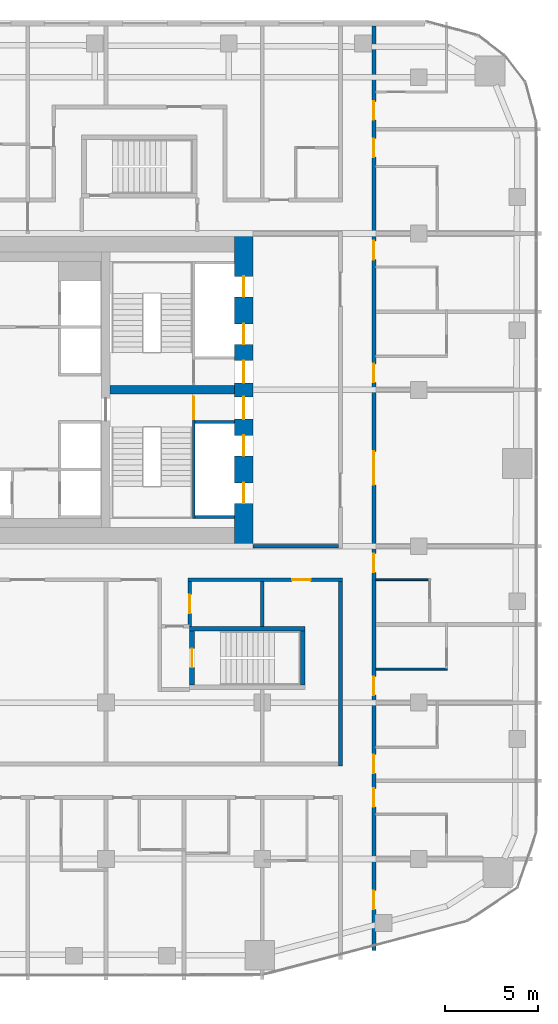
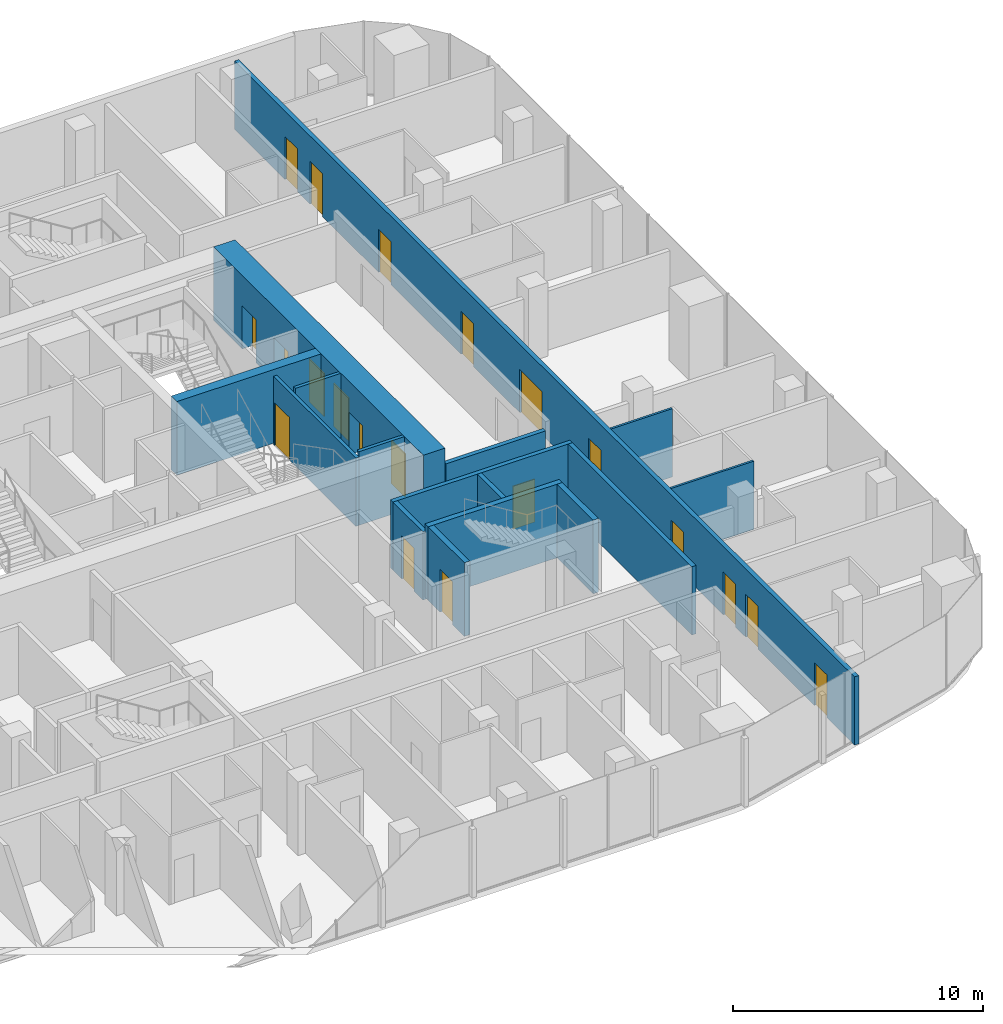
# One storey, part 17 of 23: 20 doors, 16 walls, 20 openings.
"""IFC4 building model written with IfcOpenShell, lengths in metres."""

from ifc_helpers import new_model, si_unit, direction, frame, frame_2d, origin, place, context, subcontext, project, spatial, rectangle, extrude, material, layer, layer_set, type_object, element, fill, save


model = new_model("IFC4")

# Units and contexts
model_context = context("Model", 3, precision=1e-05, world=origin(), true_north=direction((0.0, 1.0)))
body_context = subcontext(model_context, "Body", "Model", "MODEL_VIEW")
ifc_project = project(units=[si_unit("LENGTHUNIT", "METRE"), si_unit("AREAUNIT", "SQUARE_METRE"), si_unit("VOLUMEUNIT", "CUBIC_METRE"), si_unit("PLANEANGLEUNIT", "RADIAN"), si_unit("MASSUNIT", "GRAM", prefix="KILO")], contexts=[model_context])

# Site, building, storey
site_placement = place(None, origin())
site = spatial("IfcSite", under=ifc_project, at=site_placement, CompositionType="ELEMENT")
building_placement = place(site_placement, origin())
building = spatial("IfcBuilding", under=site, at=building_placement, Name="Marenta Gate Hotel Tower", CompositionType="ELEMENT")
storey_placement = place(building_placement, frame((0.0, 0.0, 112.10009765625)))
storey = spatial("IfcBuildingStorey", under=building, at=storey_placement, Name="L24", CompositionType="ELEMENT", Elevation=112.10009765625)

# Walls
ifc_material_1 = material(Name="Concrete blockwork", Category="masonry")
ifc_layer_1 = layer(ifc_material_1, 0.199951171875)
ifc_layer_set_1 = layer_set([ifc_layer_1], Name="Concrete blockwork")
wall_type_1 = type_object("IfcWallType", Name="Core boundary wall 200 REI 180", PredefinedType="PARTITIONING", material=ifc_layer_set_1)
wall_1_placement = place(storey_placement, frame((12.10009765625, 0.0, 0.0), z_axis=(0.0, 0.0, 1.0), x_axis=(1.0, 0.0, 0.0)))
element("IfcWall", 1, at=wall_1_placement, inside=storey, type_object=wall_type_1, Name="L24-CP-EW-ES", PredefinedType="PARTITIONING", context=body_context, shape_type="SweptSolid", body=[
    extrude(rectangle(XDim=4.599853515625, YDim=0.199951171875, at=frame_2d((2.2998046875, 0.0))), origin(), (0.0, 0.0, 1.0), 2.889892578125),
])
ifc_material_2 = material(Name="Concrete C40", Category="concrete")
ifc_layer_2 = layer(ifc_material_2, 0.14990234375)
ifc_layer_set_2 = layer_set([ifc_layer_2], Name="Concrete C40")
wall_type_2 = type_object("IfcWallType", Name="Core shaft wall 150 REI 180", PredefinedType="SHEAR", material=ifc_layer_set_2)
for number, where, z_axis, x_axis, name in (
    (2, (9.0, 6.675048828125, 0.0), (0.0, 0.0, 1.0), (1.0, 0.0, 0.0), "L24-SHF-SW-ES-2"),
    (3, (9.0, 1.574951171875, 0.0), (0.0, 0.0, 1.0), (1.0, 0.0, 0.0), "L24-SHF-SW-ES-5"),
):
    element("IfcWall", number, at=place(storey_placement, frame(where, z_axis=z_axis, x_axis=x_axis)), inside=storey, type_object=wall_type_2, Name=name, PredefinedType="SHEAR", context=body_context, shape_type="SweptSolid", body=[
        extrude(rectangle(XDim=2.10009765625, YDim=0.14990234375, at=frame_2d((1.050048828125, 0.0))), origin(), (0.0, 0.0, 1.0), 3.599853515625),
    ])

# Wall, opening, door
ifc_material_3 = material(Name="Concrete C40", Category="concrete")
ifc_layer_3 = layer(ifc_material_3, 0.14990234375)
ifc_layer_set_3 = layer_set([ifc_layer_3], Name="Concrete C40")
wall_type_3 = type_object("IfcWallType", Name="Core stair enclosure wall 150 REI 180", PredefinedType="SHEAR", material=ifc_layer_set_3)
wall_2_placement = place(storey_placement, frame((8.925048828125, 1.5, 0.0), z_axis=(0.0, 0.0, 1.0), x_axis=(0.0, 1.0, 0.0)))
wall_2 = element("IfcWall", 4, at=wall_2_placement, inside=storey, type_object=wall_type_3, Name="L24-SHF-SW-ES-3", PredefinedType="SHEAR", context=body_context, shape_type="SweptSolid", body=[
    extrude(rectangle(XDim=6.60009765625, YDim=0.14990234375, at=frame_2d((3.300048828125, 0.0))), origin(), (0.0, 0.0, 1.0), 3.33984375),
])
opening_1_placement = place(wall_2_placement, frame((5.324951171875, 0.0, 0.0)))
opening_1 = element("IfcOpeningElement", 5, at=opening_1_placement, cuts=wall_2, Name="Opening SD-ES", PredefinedType="OPENING", context=body_context, shape_type="SweptSolid", body=[
    extrude(rectangle(XDim=1.199951171875, YDim=2.10009765625, at=frame_2d((0.60009765625, 1.050048828125))), frame((0.0, 0.074951171875, 0.0), z_axis=(0.0, -1.0, 0.0), x_axis=(1.0, 0.0, 0.0)), (0.0, 0.0, 1.0), 0.14990234375),
])
ifc_material_4 = material(Name="Steel", Category="steel")
door_type_1 = type_object("IfcDoorType", Name="Core stair door 1200x2100 FD60", OperationType="SINGLE_SWING_LEFT", PredefinedType="DOOR", material=ifc_material_4)
door_1_placement = place(opening_1_placement, origin())
door_1 = element("IfcDoor", 6, at=door_1_placement, inside=storey, type_object=door_type_1, Name="SD-ES", OperationType="SINGLE_SWING_LEFT", OverallHeight=2.10009765625, OverallWidth=1.199951171875, PredefinedType="DOOR", context=body_context, shape_type="SweptSolid", body=[
    extrude(rectangle(XDim=1.199951171875, YDim=2.10009765625, at=frame_2d((0.60009765625, 1.050048828125))), frame((0.0, 0.02490234375, 0.0), z_axis=(0.0, -1.0, 0.0), x_axis=(1.0, 0.0, 0.0)), (0.0, 0.0, 1.0), 0.050048828125),
])
fill(opening_1, door_1)

# Wall, openings, doors
ifc_material_5 = material(Name="Concrete C70", Category="concrete")
ifc_layer_4 = layer(ifc_material_5, 1.0)
ifc_layer_set_4 = layer_set([ifc_layer_4], Name="Concrete C70")
wall_type_4 = type_object("IfcWallType", Name="Core wall 1000 C70", PredefinedType="SHEAR", material=ifc_layer_set_4)
wall_3_placement = place(storey_placement, frame((11.60009765625, 0.0, 0.0), z_axis=(0.0, 0.0, 1.0), x_axis=(0.0, 1.0, 0.0)))
wall_3 = element("IfcWall", 7, at=wall_3_placement, inside=storey, type_object=wall_type_4, Name="L24-CORE-E", PredefinedType="SHEAR", context=body_context, shape_type="SweptSolid", body=[
    extrude(rectangle(XDim=16.800048828125, YDim=1.0, at=frame_2d((8.39990234375, 0.0))), origin(), (0.0, 0.0, 1.0), 3.599853515625),
])
opening_2_placement = place(wall_3_placement, frame((2.300048828125, 0.0, 0.0)))
opening_2 = element("IfcOpeningElement", 8, at=opening_2_placement, cuts=wall_3, Name="Opening LD-HR1", PredefinedType="OPENING", context=body_context, shape_type="SweptSolid", body=[
    extrude(rectangle(XDim=1.10009765625, YDim=2.10009765625, at=frame_2d((0.550048828125, 1.050048828125))), frame((0.0, 0.5, 0.0), z_axis=(0.0, -1.0, 0.0), x_axis=(1.0, 0.0, 0.0)), (0.0, 0.0, 1.0), 1.0),
])
opening_3_placement = place(wall_3_placement, frame((4.85009765625, 0.0, 0.0)))
opening_3 = element("IfcOpeningElement", 9, at=opening_3_placement, cuts=wall_3, Name="Opening LD-HR2", PredefinedType="OPENING", context=body_context, shape_type="SweptSolid", body=[
    extrude(rectangle(XDim=1.10009765625, YDim=2.10009765625, at=frame_2d((0.550048828125, 1.050048828125))), frame((0.0, 0.5, 0.0), z_axis=(0.0, -1.0, 0.0), x_axis=(1.0, 0.0, 0.0)), (0.0, 0.0, 1.0), 1.0),
])
opening_4_placement = place(wall_3_placement, frame((6.824951171875, 0.0, 0.0)))
opening_4 = element("IfcOpeningElement", 10, at=opening_4_placement, cuts=wall_3, Name="Opening PD-ES", PredefinedType="OPENING", context=body_context, shape_type="SweptSolid", body=[
    extrude(rectangle(XDim=1.199951171875, YDim=2.10009765625, at=frame_2d((0.60009765625, 1.050048828125))), frame((0.0, 0.5, 0.0), z_axis=(0.0, -1.0, 0.0), x_axis=(1.0, 0.0, 0.0)), (0.0, 0.0, 1.0), 1.0),
])
opening_5_placement = place(wall_3_placement, frame((13.39990234375, 0.0, 0.0)))
opening_5 = element("IfcOpeningElement", 11, at=opening_5_placement, cuts=wall_3, Name="Opening LD-HR4", PredefinedType="OPENING", context=body_context, shape_type="SweptSolid", body=[
    extrude(rectangle(XDim=1.10009765625, YDim=2.10009765625, at=frame_2d((0.550048828125, 1.050048828125))), frame((0.0, 0.5, 0.0), z_axis=(0.0, -1.0, 0.0), x_axis=(1.0, 0.0, 0.0)), (0.0, 0.0, 1.0), 1.0),
])
opening_6_placement = place(wall_3_placement, frame((10.85009765625, 0.0, 0.0)))
opening_6 = element("IfcOpeningElement", 12, at=opening_6_placement, cuts=wall_3, Name="Opening LD-HR3", PredefinedType="OPENING", context=body_context, shape_type="SweptSolid", body=[
    extrude(rectangle(XDim=1.10009765625, YDim=2.10009765625, at=frame_2d((0.550048828125, 1.050048828125))), frame((0.0, 0.5, 0.0), z_axis=(0.0, -1.0, 0.0), x_axis=(1.0, 0.0, 0.0)), (0.0, 0.0, 1.0), 1.0),
])
opening_7_placement = place(wall_3_placement, frame((8.77490234375, 0.0, 0.0)))
opening_7 = element("IfcOpeningElement", 13, at=opening_7_placement, cuts=wall_3, Name="Opening PD-EN", PredefinedType="OPENING", context=body_context, shape_type="SweptSolid", body=[
    extrude(rectangle(XDim=1.199951171875, YDim=2.10009765625, at=frame_2d((0.60009765625, 1.050048828125))), frame((0.0, 0.5, 0.0), z_axis=(0.0, -1.0, 0.0), x_axis=(1.0, 0.0, 0.0)), (0.0, 0.0, 1.0), 1.0),
])
ifc_material_6 = material(Name="Steel", Category="steel")
door_type_2 = type_object("IfcDoorType", Name="Core lift landing door 1100x2100 E 60", OperationType="SLIDING_TO_LEFT", PredefinedType="DOOR", material=ifc_material_6)
door_2_placement = place(opening_2_placement, origin())
door_2 = element("IfcDoor", 14, at=door_2_placement, inside=storey, type_object=door_type_2, Name="LD-HR1", OperationType="SLIDING_TO_LEFT", OverallHeight=2.10009765625, OverallWidth=1.10009765625, PredefinedType="DOOR", context=body_context, shape_type="SweptSolid", body=[
    extrude(rectangle(XDim=1.10009765625, YDim=2.10009765625, at=frame_2d((0.550048828125, 1.050048828125))), frame((0.0, 0.02490234375, 0.0), z_axis=(0.0, -1.0, 0.0), x_axis=(1.0, 0.0, 0.0)), (0.0, 0.0, 1.0), 0.050048828125),
])
fill(opening_2, door_2)
door_3_placement = place(opening_3_placement, origin())
door_3 = element("IfcDoor", 15, at=door_3_placement, inside=storey, type_object=door_type_2, Name="LD-HR2", OperationType="SLIDING_TO_LEFT", OverallHeight=2.10009765625, OverallWidth=1.10009765625, PredefinedType="DOOR", context=body_context, shape_type="SweptSolid", body=[
    extrude(rectangle(XDim=1.10009765625, YDim=2.10009765625, at=frame_2d((0.550048828125, 1.050048828125))), frame((0.0, 0.02490234375, 0.0), z_axis=(0.0, -1.0, 0.0), x_axis=(1.0, 0.0, 0.0)), (0.0, 0.0, 1.0), 0.050048828125),
])
fill(opening_3, door_3)
door_4_placement = place(opening_5_placement, origin())
door_4 = element("IfcDoor", 16, at=door_4_placement, inside=storey, type_object=door_type_2, Name="LD-HR4", OperationType="SLIDING_TO_LEFT", OverallHeight=2.10009765625, OverallWidth=1.10009765625, PredefinedType="DOOR", context=body_context, shape_type="SweptSolid", body=[
    extrude(rectangle(XDim=1.10009765625, YDim=2.10009765625, at=frame_2d((0.550048828125, 1.050048828125))), frame((0.0, 0.02490234375, 0.0), z_axis=(0.0, -1.0, 0.0), x_axis=(1.0, 0.0, 0.0)), (0.0, 0.0, 1.0), 0.050048828125),
])
fill(opening_5, door_4)
door_5_placement = place(opening_6_placement, origin())
door_5 = element("IfcDoor", 17, at=door_5_placement, inside=storey, type_object=door_type_2, Name="LD-HR3", OperationType="SLIDING_TO_LEFT", OverallHeight=2.10009765625, OverallWidth=1.10009765625, PredefinedType="DOOR", context=body_context, shape_type="SweptSolid", body=[
    extrude(rectangle(XDim=1.10009765625, YDim=2.10009765625, at=frame_2d((0.550048828125, 1.050048828125))), frame((0.0, 0.02490234375, 0.0), z_axis=(0.0, -1.0, 0.0), x_axis=(1.0, 0.0, 0.0)), (0.0, 0.0, 1.0), 0.050048828125),
])
fill(opening_6, door_5)
ifc_material_7 = material(Name="Steel", Category="steel")
door_type_3 = type_object("IfcDoorType", Name="Core lobby door 1200x2100 FD60", OperationType="SINGLE_SWING_LEFT", PredefinedType="DOOR", material=ifc_material_7)
door_6_placement = place(opening_4_placement, origin())
door_6 = element("IfcDoor", 18, at=door_6_placement, inside=storey, type_object=door_type_3, Name="PD-ES", OperationType="SINGLE_SWING_LEFT", OverallHeight=2.10009765625, OverallWidth=1.199951171875, PredefinedType="DOOR", context=body_context, shape_type="SweptSolid", body=[
    extrude(rectangle(XDim=1.199951171875, YDim=2.10009765625, at=frame_2d((0.60009765625, 1.050048828125))), frame((0.0, 0.02490234375, 0.0), z_axis=(0.0, -1.0, 0.0), x_axis=(1.0, 0.0, 0.0)), (0.0, 0.0, 1.0), 0.050048828125),
])
fill(opening_4, door_6)
door_7_placement = place(opening_7_placement, origin())
door_7 = element("IfcDoor", 19, at=door_7_placement, inside=storey, type_object=door_type_3, Name="PD-EN", OperationType="SINGLE_SWING_LEFT", OverallHeight=2.10009765625, OverallWidth=1.199951171875, PredefinedType="DOOR", context=body_context, shape_type="SweptSolid", body=[
    extrude(rectangle(XDim=1.199951171875, YDim=2.10009765625, at=frame_2d((0.60009765625, 1.050048828125))), frame((0.0, 0.02490234375, 0.0), z_axis=(0.0, -1.0, 0.0), x_axis=(1.0, 0.0, 0.0)), (0.0, 0.0, 1.0), 0.050048828125),
])
fill(opening_7, door_7)

# Walls
ifc_material_8 = material(Name="Concrete C70", Category="concrete")
ifc_layer_5 = layer(ifc_material_8, 0.449951171875)
ifc_layer_set_5 = layer_set([ifc_layer_5], Name="Concrete C70")
wall_type_5 = type_object("IfcWallType", Name="Core web 450 C70", PredefinedType="SHEAR", material=ifc_layer_set_5)
wall_4_placement = place(storey_placement, frame((4.425048828125, 8.39990234375, 0.0), z_axis=(0.0, 0.0, 1.0), x_axis=(1.0, 0.0, 0.0)))
element("IfcWall", 20, at=wall_4_placement, inside=storey, type_object=wall_type_5, Name="L24-CORE-W4", PredefinedType="SHEAR", context=body_context, shape_type="SweptSolid", body=[
    extrude(rectangle(XDim=6.675048828125, YDim=0.449951171875, at=frame_2d((3.33740234375, 0.0))), origin(), (0.0, 0.0, 1.0), 3.599853515625),
])
ifc_material_9 = material(Name="Concrete C40", Category="concrete")
ifc_layer_6 = layer(ifc_material_9, 0.25)
ifc_layer_set_6 = layer_set([ifc_layer_6], Name="Concrete C40")
wall_type_6 = type_object("IfcWallType", Name="Remote stair enclosure wall 250 REI 180", PredefinedType="SHEAR", material=ifc_layer_set_6)
wall_5_placement = place(storey_placement, frame((8.699951171875, -4.425048828125, 0.099853515625), z_axis=(0.0, 0.0, 1.0), x_axis=(1.0, 0.0, 0.0)))
element("IfcWall", 21, at=wall_5_placement, inside=storey, type_object=wall_type_6, Name="L24-RS-Z2-2-W2", PredefinedType="SHEAR", context=body_context, shape_type="SweptSolid", body=[
    extrude(rectangle(XDim=6.199951171875, YDim=0.25, at=frame_2d((3.10009765625, 0.0))), origin(), (0.0, 0.0, 1.0), 3.60009765625),
])

# Wall, opening, door
wall_6_placement = place(storey_placement, frame((8.824951171875, -7.449951171875, 0.099853515625), z_axis=(0.0, 0.0, 1.0), x_axis=(0.0, 1.0, 0.0)))
wall_6 = element("IfcWall", 22, at=wall_6_placement, inside=storey, type_object=wall_type_6, Name="L24-RS-Z2-2-W3", PredefinedType="SHEAR", context=body_context, shape_type="SweptSolid", body=[
    extrude(rectangle(XDim=2.89990234375, YDim=0.25, at=frame_2d((1.449951171875, 0.0))), origin(), (0.0, 0.0, 1.0), 3.60009765625),
])
opening_8_placement = place(wall_6_placement, frame((0.949951171875, 0.0, 0.0)))
opening_8 = element("IfcOpeningElement", 23, at=opening_8_placement, cuts=wall_6, Name="Opening VD", PredefinedType="OPENING", context=body_context, shape_type="SweptSolid", body=[
    extrude(rectangle(XDim=1.0, YDim=2.10009765625, at=frame_2d((0.5, 1.050048828125))), frame((0.0, 0.125, 0.0), z_axis=(0.0, -1.0, 0.0), x_axis=(1.0, 0.0, 0.0)), (0.0, 0.0, 1.0), 0.25),
])
ifc_material_10 = material(Name="Steel", Category="steel")
door_type_4 = type_object("IfcDoorType", Name="Stair vestibule door 1000x2100 FD60", OperationType="SINGLE_SWING_LEFT", PredefinedType="DOOR", material=ifc_material_10)
door_8_placement = place(opening_8_placement, origin())
door_8 = element("IfcDoor", 24, at=door_8_placement, inside=storey, type_object=door_type_4, Name="VD", OperationType="SINGLE_SWING_LEFT", OverallHeight=2.10009765625, OverallWidth=1.0, PredefinedType="DOOR", context=body_context, shape_type="SweptSolid", body=[
    extrude(rectangle(XDim=1.0, YDim=2.10009765625, at=frame_2d((0.5, 1.050048828125))), frame((0.0, 0.02490234375, 0.0), z_axis=(0.0, -1.0, 0.0), x_axis=(1.0, 0.0, 0.0)), (0.0, 0.0, 1.0), 0.050048828125),
])
fill(opening_8, door_8)

# Wall
wall_7_placement = place(storey_placement, frame((14.77490234375, -7.449951171875, 0.099853515625), z_axis=(0.0, 0.0, 1.0), x_axis=(0.0, 1.0, 0.0)))
element("IfcWall", 25, at=wall_7_placement, inside=storey, type_object=wall_type_6, Name="L24-RS-Z2-2-W4", PredefinedType="SHEAR", context=body_context, shape_type="SweptSolid", body=[
    extrude(rectangle(XDim=2.89990234375, YDim=0.25, at=frame_2d((1.449951171875, 0.0))), origin(), (0.0, 0.0, 1.0), 3.60009765625),
])

# Wall, openings, doors
ifc_material_11 = material(Name="Gypsum board on steel stud", Category="steel")
ifc_layer_7 = layer(ifc_material_11, 0.199951171875)
ifc_layer_set_7 = layer_set([ifc_layer_7], Name="Gypsum board on steel stud")
wall_type_7 = type_object("IfcWallType", Name="Room corridor wall 200 EI 60", PredefinedType="PARTITIONING", material=ifc_layer_set_7)
wall_8_placement = place(storey_placement, frame((18.60009765625, -21.7080078125, 0.0), z_axis=(0.0, 0.0, 1.0), x_axis=(0.0, 1.0, 0.0)))
wall_8 = element("IfcWall", 26, at=wall_8_placement, inside=storey, type_object=wall_type_7, Name="L24-PTN-W010", PredefinedType="PARTITIONING", context=body_context, shape_type="SweptSolid", body=[
    extrude(rectangle(XDim=49.64794921875, YDim=0.199951171875, at=frame_2d((24.823974609375, 0.0))), origin(), (0.0, 0.0, 1.0), 3.33984375),
])
opening_9_placement = place(wall_8_placement, frame((2.2041015625, 0.0, 0.0)))
opening_9 = element("IfcOpeningElement", 27, at=opening_9_placement, cuts=wall_8, Name="Opening G08-07", PredefinedType="OPENING", context=body_context, shape_type="SweptSolid", body=[
    extrude(rectangle(XDim=1.0, YDim=2.10009765625, at=frame_2d((0.5, 1.050048828125))), frame((0.0, 0.10009765625, 0.0), z_axis=(0.0, -1.0, 0.0), x_axis=(1.0, 0.0, 0.0)), (0.0, 0.0, 1.0), 0.199951171875),
])
opening_10_placement = place(wall_8_placement, frame((7.7080078125, 0.0, 0.0)))
opening_10 = element("IfcOpeningElement", 28, at=opening_10_placement, cuts=wall_8, Name="Opening G08-08", PredefinedType="OPENING", context=body_context, shape_type="SweptSolid", body=[
    extrude(rectangle(XDim=1.0, YDim=2.10009765625, at=frame_2d((0.5, 1.050048828125))), frame((0.0, 0.10009765625, 0.0), z_axis=(0.0, -1.0, 0.0), x_axis=(1.0, 0.0, 0.0)), (0.0, 0.0, 1.0), 0.199951171875),
])
opening_11_placement = place(wall_8_placement, frame((9.508056640625, 0.0, 0.0)))
opening_11 = element("IfcOpeningElement", 29, at=opening_11_placement, cuts=wall_8, Name="Opening G08-10", PredefinedType="OPENING", context=body_context, shape_type="SweptSolid", body=[
    extrude(rectangle(XDim=1.0, YDim=2.10009765625, at=frame_2d((0.5, 1.050048828125))), frame((0.0, 0.10009765625, 0.0), z_axis=(0.0, -1.0, 0.0), x_axis=(1.0, 0.0, 0.0)), (0.0, 0.0, 1.0), 0.199951171875),
])
opening_12_placement = place(wall_8_placement, frame((13.7080078125, 0.0, 0.0)))
opening_12 = element("IfcOpeningElement", 30, at=opening_12_placement, cuts=wall_8, Name="Opening G08-12", PredefinedType="OPENING", context=body_context, shape_type="SweptSolid", body=[
    extrude(rectangle(XDim=1.0, YDim=2.10009765625, at=frame_2d((0.5, 1.050048828125))), frame((0.0, 0.10009765625, 0.0), z_axis=(0.0, -1.0, 0.0), x_axis=(1.0, 0.0, 0.0)), (0.0, 0.0, 1.0), 0.199951171875),
])
opening_13_placement = place(wall_8_placement, frame((20.30810546875, 0.0, 0.0)))
opening_13 = element("IfcOpeningElement", 31, at=opening_13_placement, cuts=wall_8, Name="Opening G08-14", PredefinedType="OPENING", context=body_context, shape_type="SweptSolid", body=[
    extrude(rectangle(XDim=1.0, YDim=2.10009765625, at=frame_2d((0.5, 1.050048828125))), frame((0.0, 0.10009765625, 0.0), z_axis=(0.0, -1.0, 0.0), x_axis=(1.0, 0.0, 0.0)), (0.0, 0.0, 1.0), 0.199951171875),
])
opening_14_placement = place(wall_8_placement, frame((25.008056640625, 0.0, 0.0)))
opening_14 = element("IfcOpeningElement", 32, at=opening_14_placement, cuts=wall_8, Name="Opening G08-16", PredefinedType="OPENING", context=body_context, shape_type="SweptSolid", body=[
    extrude(rectangle(XDim=1.800048828125, YDim=2.10009765625, at=frame_2d((0.89990234375, 1.050048828125))), frame((0.0, 0.10009765625, 0.0), z_axis=(0.0, -1.0, 0.0), x_axis=(1.0, 0.0, 0.0)), (0.0, 0.0, 1.0), 0.199951171875),
])
opening_15_placement = place(wall_8_placement, frame((30.508056640625, 0.0, 0.0)))
opening_15 = element("IfcOpeningElement", 33, at=opening_15_placement, cuts=wall_8, Name="Opening G08-17", PredefinedType="OPENING", context=body_context, shape_type="SweptSolid", body=[
    extrude(rectangle(XDim=1.0, YDim=2.10009765625, at=frame_2d((0.5, 1.050048828125))), frame((0.0, 0.10009765625, 0.0), z_axis=(0.0, -1.0, 0.0), x_axis=(1.0, 0.0, 0.0)), (0.0, 0.0, 1.0), 0.199951171875),
])
opening_16_placement = place(wall_8_placement, frame((37.10791015625, 0.0, 0.0)))
opening_16 = element("IfcOpeningElement", 34, at=opening_16_placement, cuts=wall_8, Name="Opening G08-19", PredefinedType="OPENING", context=body_context, shape_type="SweptSolid", body=[
    extrude(rectangle(XDim=1.0, YDim=2.10009765625, at=frame_2d((0.5, 1.050048828125))), frame((0.0, 0.10009765625, 0.0), z_axis=(0.0, -1.0, 0.0), x_axis=(1.0, 0.0, 0.0)), (0.0, 0.0, 1.0), 0.199951171875),
])
opening_17_placement = place(wall_8_placement, frame((42.60791015625, 0.0, 0.0)))
opening_17 = element("IfcOpeningElement", 35, at=opening_17_placement, cuts=wall_8, Name="Opening G08-21", PredefinedType="OPENING", context=body_context, shape_type="SweptSolid", body=[
    extrude(rectangle(XDim=1.0, YDim=2.10009765625, at=frame_2d((0.5, 1.050048828125))), frame((0.0, 0.10009765625, 0.0), z_axis=(0.0, -1.0, 0.0), x_axis=(1.0, 0.0, 0.0)), (0.0, 0.0, 1.0), 0.199951171875),
])
opening_18_placement = place(wall_8_placement, frame((44.60791015625, 0.0, 0.0)))
opening_18 = element("IfcOpeningElement", 36, at=opening_18_placement, cuts=wall_8, Name="Opening G08-23", PredefinedType="OPENING", context=body_context, shape_type="SweptSolid", body=[
    extrude(rectangle(XDim=1.0, YDim=2.10009765625, at=frame_2d((0.5, 1.050048828125))), frame((0.0, 0.10009765625, 0.0), z_axis=(0.0, -1.0, 0.0), x_axis=(1.0, 0.0, 0.0)), (0.0, 0.0, 1.0), 0.199951171875),
])
ifc_material_12 = material(Name="Timber door leaf", Category="wood")
door_type_5 = type_object("IfcDoorType", Name="Guest room door 1000x2100 EI 30", OperationType="NOTDEFINED", PredefinedType="DOOR", material=ifc_material_12)
door_9_placement = place(opening_10_placement, origin())
door_9 = element("IfcDoor", 37, at=door_9_placement, inside=storey, type_object=door_type_5, Name="L24-PD-D008", OperationType="SINGLE_SWING_RIGHT", OverallHeight=2.10009765625, OverallWidth=1.0, PredefinedType="DOOR", context=body_context, shape_type="SweptSolid", body=[
    extrude(rectangle(XDim=1.0, YDim=2.10009765625, at=frame_2d((0.5, 1.050048828125))), frame((0.0, 0.02490234375, 0.0), z_axis=(0.0, -1.0, 0.0), x_axis=(1.0, 0.0, 0.0)), (0.0, 0.0, 1.0), 0.050048828125),
])
fill(opening_10, door_9)
door_10_placement = place(opening_11_placement, origin())
door_10 = element("IfcDoor", 38, at=door_10_placement, inside=storey, type_object=door_type_5, Name="L24-PD-D010", OperationType="SINGLE_SWING_RIGHT", OverallHeight=2.10009765625, OverallWidth=1.0, PredefinedType="DOOR", context=body_context, shape_type="SweptSolid", body=[
    extrude(rectangle(XDim=1.0, YDim=2.10009765625, at=frame_2d((0.5, 1.050048828125))), frame((0.0, 0.02490234375, 0.0), z_axis=(0.0, -1.0, 0.0), x_axis=(1.0, 0.0, 0.0)), (0.0, 0.0, 1.0), 0.050048828125),
])
fill(opening_11, door_10)
door_11_placement = place(opening_12_placement, origin())
door_11 = element("IfcDoor", 39, at=door_11_placement, inside=storey, type_object=door_type_5, Name="L24-PD-D012", OperationType="SINGLE_SWING_RIGHT", OverallHeight=2.10009765625, OverallWidth=1.0, PredefinedType="DOOR", context=body_context, shape_type="SweptSolid", body=[
    extrude(rectangle(XDim=1.0, YDim=2.10009765625, at=frame_2d((0.5, 1.050048828125))), frame((0.0, 0.02490234375, 0.0), z_axis=(0.0, -1.0, 0.0), x_axis=(1.0, 0.0, 0.0)), (0.0, 0.0, 1.0), 0.050048828125),
])
fill(opening_12, door_11)
door_12_placement = place(opening_13_placement, origin())
door_12 = element("IfcDoor", 40, at=door_12_placement, inside=storey, type_object=door_type_5, Name="L24-PD-D014", OperationType="SINGLE_SWING_RIGHT", OverallHeight=2.10009765625, OverallWidth=1.0, PredefinedType="DOOR", context=body_context, shape_type="SweptSolid", body=[
    extrude(rectangle(XDim=1.0, YDim=2.10009765625, at=frame_2d((0.5, 1.050048828125))), frame((0.0, 0.02490234375, 0.0), z_axis=(0.0, -1.0, 0.0), x_axis=(1.0, 0.0, 0.0)), (0.0, 0.0, 1.0), 0.050048828125),
])
fill(opening_13, door_12)
door_13_placement = place(opening_15_placement, origin())
door_13 = element("IfcDoor", 41, at=door_13_placement, inside=storey, type_object=door_type_5, Name="L24-PD-D017", OperationType="SINGLE_SWING_LEFT", OverallHeight=2.10009765625, OverallWidth=1.0, PredefinedType="DOOR", context=body_context, shape_type="SweptSolid", body=[
    extrude(rectangle(XDim=1.0, YDim=2.10009765625, at=frame_2d((0.5, 1.050048828125))), frame((0.0, 0.02490234375, 0.0), z_axis=(0.0, -1.0, 0.0), x_axis=(1.0, 0.0, 0.0)), (0.0, 0.0, 1.0), 0.050048828125),
])
fill(opening_15, door_13)
door_14_placement = place(opening_16_placement, origin())
door_14 = element("IfcDoor", 42, at=door_14_placement, inside=storey, type_object=door_type_5, Name="L24-PD-D019", OperationType="SINGLE_SWING_LEFT", OverallHeight=2.10009765625, OverallWidth=1.0, PredefinedType="DOOR", context=body_context, shape_type="SweptSolid", body=[
    extrude(rectangle(XDim=1.0, YDim=2.10009765625, at=frame_2d((0.5, 1.050048828125))), frame((0.0, 0.02490234375, 0.0), z_axis=(0.0, -1.0, 0.0), x_axis=(1.0, 0.0, 0.0)), (0.0, 0.0, 1.0), 0.050048828125),
])
fill(opening_16, door_14)
door_15_placement = place(opening_17_placement, origin())
door_15 = element("IfcDoor", 43, at=door_15_placement, inside=storey, type_object=door_type_5, Name="L24-PD-D021", OperationType="SINGLE_SWING_LEFT", OverallHeight=2.10009765625, OverallWidth=1.0, PredefinedType="DOOR", context=body_context, shape_type="SweptSolid", body=[
    extrude(rectangle(XDim=1.0, YDim=2.10009765625, at=frame_2d((0.5, 1.050048828125))), frame((0.0, 0.02490234375, 0.0), z_axis=(0.0, -1.0, 0.0), x_axis=(1.0, 0.0, 0.0)), (0.0, 0.0, 1.0), 0.050048828125),
])
fill(opening_17, door_15)
door_16_placement = place(opening_18_placement, origin())
door_16 = element("IfcDoor", 44, at=door_16_placement, inside=storey, type_object=door_type_5, Name="L24-PD-D023", OperationType="SINGLE_SWING_LEFT", OverallHeight=2.10009765625, OverallWidth=1.0, PredefinedType="DOOR", context=body_context, shape_type="SweptSolid", body=[
    extrude(rectangle(XDim=1.0, YDim=2.10009765625, at=frame_2d((0.5, 1.050048828125))), frame((0.0, 0.02490234375, 0.0), z_axis=(0.0, -1.0, 0.0), x_axis=(1.0, 0.0, 0.0)), (0.0, 0.0, 1.0), 0.050048828125),
])
fill(opening_18, door_16)
ifc_material_13 = material(Name="Timber door leaf", Category="wood")
door_type_6 = type_object("IfcDoorType", Name="Room amenity door 1000x2100 EI 30", OperationType="NOTDEFINED", PredefinedType="DOOR", material=ifc_material_13)
door_17_placement = place(opening_9_placement, origin())
door_17 = element("IfcDoor", 45, at=door_17_placement, inside=storey, type_object=door_type_6, Name="L24-PD-D007", OperationType="SINGLE_SWING_LEFT", OverallHeight=2.10009765625, OverallWidth=1.0, PredefinedType="DOOR", context=body_context, shape_type="SweptSolid", body=[
    extrude(rectangle(XDim=1.0, YDim=2.10009765625, at=frame_2d((0.5, 1.050048828125))), frame((0.0, 0.02490234375, 0.0), z_axis=(0.0, -1.0, 0.0), x_axis=(1.0, 0.0, 0.0)), (0.0, 0.0, 1.0), 0.050048828125),
])
fill(opening_9, door_17)
ifc_material_14 = material(Name="Timber door leaf", Category="wood")
door_type_7 = type_object("IfcDoorType", Name="Room amenity door 1800x2100 EI 30", OperationType="DOUBLE_DOOR_SINGLE_SWING", PredefinedType="DOOR", material=ifc_material_14)
door_18_placement = place(opening_14_placement, origin())
door_18 = element("IfcDoor", 46, at=door_18_placement, inside=storey, type_object=door_type_7, Name="L24-PD-D016", OperationType="DOUBLE_DOOR_SINGLE_SWING", OverallHeight=2.10009765625, OverallWidth=1.800048828125, PredefinedType="DOOR", context=body_context, shape_type="SweptSolid", body=[
    extrude(rectangle(XDim=1.800048828125, YDim=2.10009765625, at=frame_2d((0.89990234375, 1.050048828125))), frame((0.0, 0.02490234375, 0.0), z_axis=(0.0, -1.0, 0.0), x_axis=(1.0, 0.0, 0.0)), (0.0, 0.0, 1.0), 0.050048828125),
])
fill(opening_14, door_18)

# Wall
wall_9_placement = place(storey_placement, frame((16.800048828125, -11.800048828125, 0.0), z_axis=(0.0, 0.0, 1.0), x_axis=(0.0, 1.0, 0.0)))
element("IfcWall", 47, at=wall_9_placement, inside=storey, type_object=wall_type_7, Name="L24-PTN-W017", PredefinedType="PARTITIONING", context=body_context, shape_type="SweptSolid", body=[
    extrude(rectangle(XDim=9.900146484375, YDim=0.199951171875, at=frame_2d((4.9501953125, 0.0))), origin(), (0.0, 0.0, 1.0), 3.33984375),
])

# Wall, opening, door
wall_10_placement = place(storey_placement, frame((8.699951171875, -4.300048828125, 0.0), z_axis=(0.0, 0.0, 1.0), x_axis=(0.0, 1.0, 0.0)))
wall_10 = element("IfcWall", 48, at=wall_10_placement, inside=storey, type_object=wall_type_7, Name="L24-PTN-W044", PredefinedType="PARTITIONING", context=body_context, shape_type="SweptSolid", body=[
    extrude(rectangle(XDim=2.400146484375, YDim=0.199951171875, at=frame_2d((1.2001953125, 0.0))), origin(), (0.0, 0.0, 1.0), 3.33984375),
])
opening_19_placement = place(wall_10_placement, frame((0.699951171875, 0.0, 0.0)))
opening_19 = element("IfcOpeningElement", 49, at=opening_19_placement, cuts=wall_10, Name="Opening G08-72", PredefinedType="OPENING", context=body_context, shape_type="SweptSolid", body=[
    extrude(rectangle(XDim=1.0, YDim=2.10009765625, at=frame_2d((0.5, 1.050048828125))), frame((0.0, 0.10009765625, 0.0), z_axis=(0.0, -1.0, 0.0), x_axis=(1.0, 0.0, 0.0)), (0.0, 0.0, 1.0), 0.199951171875),
])
door_19_placement = place(opening_19_placement, origin())
door_19 = element("IfcDoor", 50, at=door_19_placement, inside=storey, type_object=door_type_6, Name="L24-PD-D072", OperationType="SINGLE_SWING_LEFT", OverallHeight=2.10009765625, OverallWidth=1.0, PredefinedType="DOOR", context=body_context, shape_type="SweptSolid", body=[
    extrude(rectangle(XDim=1.0, YDim=2.10009765625, at=frame_2d((0.5, 1.050048828125))), frame((0.0, 0.02490234375, 0.0), z_axis=(0.0, -1.0, 0.0), x_axis=(1.0, 0.0, 0.0)), (0.0, 0.0, 1.0), 0.050048828125),
])
fill(opening_19, door_19)

wall_11_placement = place(storey_placement, frame((8.60009765625, -1.800048828125, 0.0), z_axis=(0.0, 0.0, 1.0), x_axis=(1.0, 0.0, 0.0)))
wall_11 = element("IfcWall", 51, at=wall_11_placement, inside=storey, type_object=wall_type_7, Name="L24-PTN-W069", PredefinedType="PARTITIONING", context=body_context, shape_type="SweptSolid", body=[
    extrude(rectangle(XDim=8.2998046875, YDim=0.199951171875, at=frame_2d((4.14990234375, 0.0))), origin(), (0.0, 0.0, 1.0), 3.33984375),
])
opening_20_placement = place(wall_11_placement, frame((5.60009765625, 0.0, 0.0)))
opening_20 = element("IfcOpeningElement", 52, at=opening_20_placement, cuts=wall_11, Name="Opening G08-06", PredefinedType="OPENING", context=body_context, shape_type="SweptSolid", body=[
    extrude(rectangle(XDim=1.0, YDim=2.10009765625, at=frame_2d((0.5, 1.050048828125))), frame((0.0, 0.10009765625, 0.0), z_axis=(0.0, -1.0, 0.0), x_axis=(1.0, 0.0, 0.0)), (0.0, 0.0, 1.0), 0.199951171875),
])
door_20_placement = place(opening_20_placement, origin())
door_20 = element("IfcDoor", 53, at=door_20_placement, inside=storey, type_object=door_type_6, Name="L24-PD-D006", OperationType="SINGLE_SWING_RIGHT", OverallHeight=2.10009765625, OverallWidth=1.0, PredefinedType="DOOR", context=body_context, shape_type="SweptSolid", body=[
    extrude(rectangle(XDim=1.0, YDim=2.10009765625, at=frame_2d((0.5, 1.050048828125))), frame((0.0, 0.02490234375, 0.0), z_axis=(0.0, -1.0, 0.0), x_axis=(1.0, 0.0, 0.0)), (0.0, 0.0, 1.0), 0.050048828125),
])
fill(opening_20, door_20)

# Walls
ifc_material_15 = material(Name="Gypsum board on steel stud", Category="steel")
ifc_layer_8 = layer(ifc_material_15, 0.10009765625)
ifc_layer_set_8 = layer_set([ifc_layer_8], Name="Gypsum board on steel stud")
wall_type_8 = type_object("IfcWallType", Name="Room partition 100", PredefinedType="PARTITIONING", material=ifc_layer_set_8)
wall_12_placement = place(storey_placement, frame((18.699951171875, -6.60009765625, 0.0), z_axis=(0.0, 0.0, 1.0), x_axis=(1.0, 0.0, 0.0)))
element("IfcWall", 54, at=wall_12_placement, inside=storey, type_object=wall_type_8, Name="L24-PTN-W054", PredefinedType="PARTITIONING", context=body_context, shape_type="SweptSolid", body=[
    extrude(rectangle(XDim=3.85009765625, YDim=0.10009765625, at=frame_2d((1.925048828125, 0.0))), origin(), (0.0, 0.0, 1.0), 3.33984375),
])
wall_13_placement = place(storey_placement, frame((18.699951171875, -1.800048828125, 0.0), z_axis=(0.0, 0.0, 1.0), x_axis=(1.0, 0.0, 0.0)))
element("IfcWall", 55, at=wall_13_placement, inside=storey, type_object=wall_type_8, Name="L24-PTN-W066", PredefinedType="PARTITIONING", context=body_context, shape_type="SweptSolid", body=[
    extrude(rectangle(XDim=2.85009765625, YDim=0.10009765625, at=frame_2d((1.425048828125, 0.0))), origin(), (0.0, 0.0, 1.0), 3.33984375),
])
ifc_material_16 = material(Name="Gypsum board on steel stud", Category="steel")
ifc_layer_9 = layer(ifc_material_16, 0.199951171875)
ifc_layer_set_9 = layer_set([ifc_layer_9], Name="Gypsum board on steel stud")
wall_type_9 = type_object("IfcWallType", Name="Room party wall 200 EI 60", PredefinedType="PARTITIONING", material=ifc_layer_set_9)
wall_14_placement = place(storey_placement, frame((12.60009765625, -4.300048828125, 0.0), z_axis=(0.0, 0.0, 1.0), x_axis=(0.0, 1.0, 0.0)))
element("IfcWall", 56, at=wall_14_placement, inside=storey, type_object=wall_type_9, Name="L24-PTN-W033", PredefinedType="PARTITIONING", context=body_context, shape_type="SweptSolid", body=[
    extrude(rectangle(XDim=2.400146484375, YDim=0.199951171875, at=frame_2d((1.2001953125, 0.0))), origin(), (0.0, 0.0, 1.0), 3.33984375),
])

save(model, "model.ifc")
